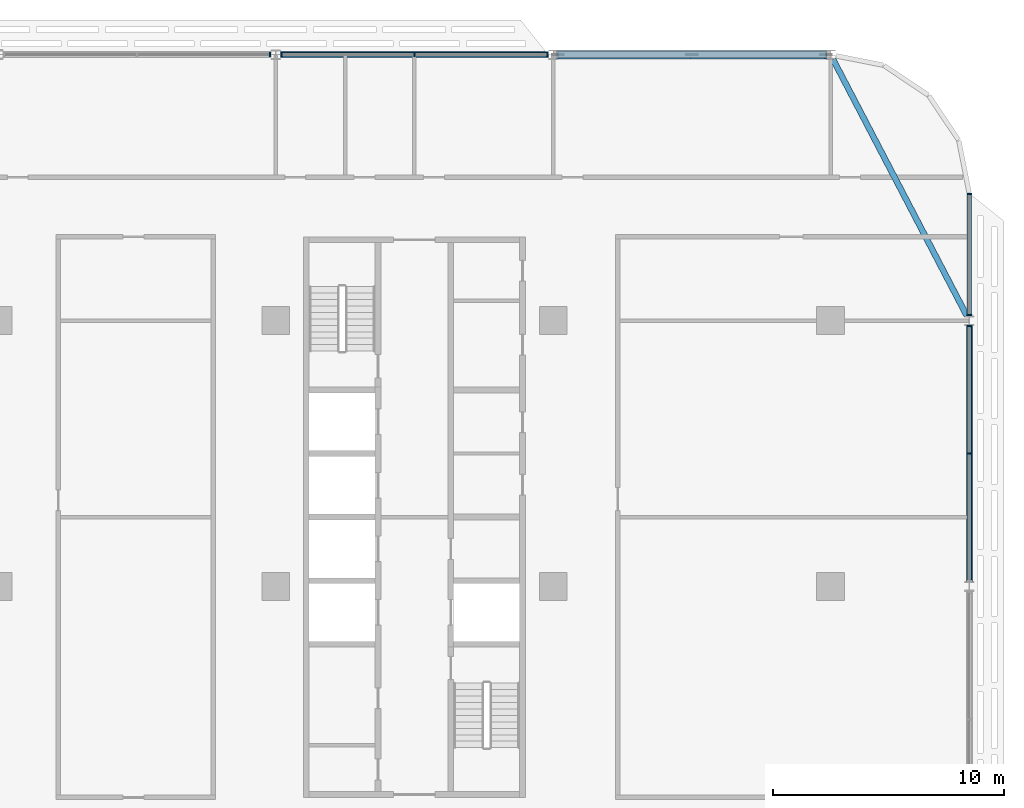
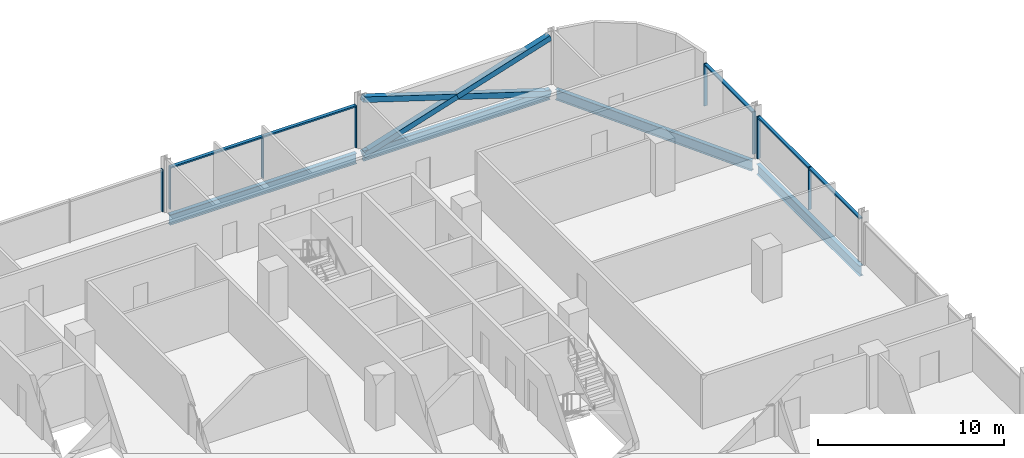
# One storey, part 9 of 27: 16 members, 4 beams, 4 elements without a shape of their own.
"""IFC4 building model written with IfcOpenShell, lengths in metres."""

import ifcopenshell
import ifcopenshell.guid

model = None  # the IFC model being written
_history = None  # IfcOwnerHistory: only IFC2X3 demands one
_inside = {}  # id of a spatial element -> (the spatial element, [elements in it])
_under = {}  # id of a project, library or spatial element -> (it, [spatial elements below it])
_declared = {}  # id of a project -> (the project, [libraries it declares])
_typed = {}  # id of a type object -> (the type object, [elements of that type])
_made_of = {}  # id of a material, layer set ... -> (it, [elements and type objects made of it])


def new_model(schema):
    """Start an empty IFC model of exactly this schema.

    Asked for "IFC4X3", IfcOpenShell would pick the latest addendum, in which some entities
    have other attributes; the version numbers below select the first issue.
    IFC2X3 requires an IfcOwnerHistory on every rooted entity: one is made here for all.
    """
    global model, _history
    if schema == "IFC4X3":
        model = ifcopenshell.file(schema_version=(4, 3, 0, 0))
    else:
        model = ifcopenshell.file(schema=schema)
    _inside.clear()
    _under.clear()
    _declared.clear()
    _typed.clear()
    _made_of.clear()
    _history = None
    if model.schema == "IFC2X3":
        org = make("IfcOrganization", Name="unknown")
        user = make(
            "IfcPersonAndOrganization",
            ThePerson=make("IfcPerson", FamilyName="unknown"),
            TheOrganization=org,
        )
        app = make(
            "IfcApplication",
            ApplicationDeveloper=org,
            Version="unknown",
            ApplicationFullName="unknown",
            ApplicationIdentifier="unknown",
        )
        _history = make(
            "IfcOwnerHistory",
            OwningUser=user,
            OwningApplication=app,
            ChangeAction="ADDED",
            CreationDate=0,
        )
    return model


def make(cls, **values):
    """One entity of the class cls with the attributes given. An attribute that is None is left unset."""
    return model.create_entity(
        cls, **{name: value for name, value in values.items() if value is not None}
    )


def rooted(cls, **values):
    """An entity with a GlobalId (a new one), such as an element, a storey or a relation."""
    return make(cls, GlobalId=ifcopenshell.guid.new(), OwnerHistory=_history, **values)


def si_unit(unit_type, name, prefix=None):
    """IfcSIUnit, for example si_unit("LENGTHUNIT", "METRE", prefix="MILLI")."""
    return make("IfcSIUnit", UnitType=unit_type, Prefix=prefix, Name=name)


def assignment(units):
    """IfcUnitAssignment: the units of a project."""
    return None if units is None else make("IfcUnitAssignment", Units=units)


def point(xyz):
    """IfcCartesianPoint."""
    return None if xyz is None else make("IfcCartesianPoint", Coordinates=xyz)


def direction(xyz):
    """IfcDirection."""
    return None if xyz is None else make("IfcDirection", DirectionRatios=xyz)


def frame(location, z_axis=None, x_axis=None):
    """IfcAxis2Placement3D, a coordinate frame: its origin and axes. An axis left out is left unset."""
    return make(
        "IfcAxis2Placement3D",
        Location=point(location),
        Axis=direction(z_axis),
        RefDirection=direction(x_axis),
    )


def frame_2d(location, x_axis=None):
    """IfcAxis2Placement2D, a coordinate frame in the plane: its origin and x axis."""
    return make(
        "IfcAxis2Placement2D", Location=point(location), RefDirection=direction(x_axis)
    )


def origin():
    """The frame at (0, 0, 0) with its axes left unset."""
    return frame((0.0, 0.0, 0.0))


def origin_2d():
    """The frame at (0, 0) in the plane with its x axis left unset."""
    return frame_2d((0.0, 0.0))


def place(relative_to, where):
    """IfcLocalPlacement: puts the frame where relative to a parent placement (None: the world)."""
    return make(
        "IfcLocalPlacement", PlacementRelTo=relative_to, RelativePlacement=where
    )


def context(
    kind, dimensions, precision=None, world=None, true_north=None, identifier=None
):
    """IfcGeometricRepresentationContext, for example the 3D "Model" context."""
    return make(
        "IfcGeometricRepresentationContext",
        ContextIdentifier=identifier,
        ContextType=kind,
        CoordinateSpaceDimension=dimensions,
        Precision=precision,
        WorldCoordinateSystem=world,
        TrueNorth=true_north,
    )


def subcontext(parent, identifier, kind, view, scale=None):
    """IfcGeometricRepresentationSubContext, for example "Body" below "Model"."""
    return make(
        "IfcGeometricRepresentationSubContext",
        ContextIdentifier=identifier,
        ContextType=kind,
        ParentContext=parent,
        TargetScale=scale,
        TargetView=view,
    )


def project(units=None, contexts=None):
    """IfcProject with its units and contexts."""
    return rooted(
        "IfcProject",
        Name="project",
        RepresentationContexts=contexts,
        UnitsInContext=assignment(units),
    )


def spatial(cls, under=None, at=None, **own):
    """A site, building, storey or space (cls), placed at a placement, below another one or the project."""
    s = rooted(cls, ObjectPlacement=at, **own)
    if under is not None:
        _under.setdefault(under.id(), (under, []))[1].append(s)
    return s


def profile(cls, at=None, kind="AREA", **sizes):
    """A parametric profile (cls). Its sizes go by their IFC names, for example OverallWidth=200.0."""
    return make(cls, ProfileType=kind, Position=at, **sizes)


def rectangle(**sizes):
    """IfcRectangleProfileDef."""
    return profile("IfcRectangleProfileDef", **sizes)


def hollow_rectangle(**sizes):
    """IfcRectangleHollowProfileDef."""
    return profile("IfcRectangleHollowProfileDef", **sizes)


def i_section(**sizes):
    """IfcIShapeProfileDef."""
    return profile("IfcIShapeProfileDef", **sizes)


def extrude(swept, where, along, depth):
    """IfcExtrudedAreaSolid: the profile swept, set in the frame where, extruded along a direction by depth."""
    return make(
        "IfcExtrudedAreaSolid",
        SweptArea=swept,
        Position=where,
        ExtrudedDirection=direction(along),
        Depth=depth,
    )


def shape(context_of_items, identifier, shape_type, items):
    """IfcShapeRepresentation: the items that make up one representation, for example the "Body"."""
    return make(
        "IfcShapeRepresentation",
        ContextOfItems=context_of_items,
        RepresentationIdentifier=identifier,
        RepresentationType=shape_type,
        Items=items,
    )


def material(Name=None, Category=None):
    """IfcMaterial."""
    return make("IfcMaterial", Name=Name, Category=Category)


def material_profile(
    of_material, cross_section, Name=None, Category=None, Priority=None
):
    """IfcMaterialProfile: a cross section and its material."""
    return make(
        "IfcMaterialProfile",
        Name=Name,
        Material=of_material,
        Profile=cross_section,
        Priority=Priority,
        Category=Category,
    )


def profile_set(profiles, Name=None, composite=None):
    """IfcMaterialProfileSet."""
    return make(
        "IfcMaterialProfileSet",
        Name=Name,
        MaterialProfiles=profiles,
        CompositeProfile=composite,
    )


def made_of(thing, what):
    """Note that an element or type object is made of a material, layer set ...; save() writes the relation."""
    if what is not None:
        _made_of.setdefault(what.id(), (what, []))[1].append(thing)
    return thing


def type_object(cls, material=None, **own):
    """A type object (cls), such as IfcWallType, which elements share."""
    return made_of(rooted(cls, **own), material)


def element(
    cls,
    number,
    at=None,
    inside=None,
    cuts=None,
    type_object=None,
    material=None,
    context=None,
    identifier="Body",
    shape_type=None,
    held_by="IfcProductDefinitionShape",
    body=None,
    shapes=None,
    **own,
):
    """One element of the class cls, such as IfcWall. Its Tag is "e" and its number.

    at: its placement. inside: the storey or other place that contains it. cuts: it is an
    opening in that element (IfcRelVoidsElement). A single representation is given by context,
    identifier, shape_type and body (its items); several are given by shapes. held_by: the class
    of the entity that holds the representations. save() writes the other relations.
    """
    e = rooted(cls, Tag="e%d" % number, ObjectPlacement=at, **own)
    if body is not None:
        shapes = [shape(context, identifier, shape_type, body)]
    if shapes is not None:
        e.Representation = make(held_by, Representations=shapes)
    if inside is not None:
        _inside.setdefault(inside.id(), (inside, []))[1].append(e)
    if cuts is not None:
        rooted(
            "IfcRelVoidsElement", RelatingBuildingElement=cuts, RelatedOpeningElement=e
        )
    if type_object is not None:
        _typed.setdefault(type_object.id(), (type_object, []))[1].append(e)
    return made_of(e, material)


def aggregate(whole, parts):
    """IfcRelAggregates: a whole, such as a stair, and the parts it consists of."""
    return rooted("IfcRelAggregates", RelatingObject=whole, RelatedObjects=parts)


def save(model, path):
    """Write the relations noted so far, then the file.

    IfcRelAggregates (storeys below a building ...), IfcRelContainedInSpatialStructure (elements
    in a storey), IfcRelDefinesByType, IfcRelAssociatesMaterial and IfcRelDeclares: one each for
    every whole, place, type object, material and project.
    """
    for whole, parts in _under.values():
        aggregate(whole, parts)
    for where, things in _inside.values():
        rooted(
            "IfcRelContainedInSpatialStructure",
            RelatedElements=things,
            RelatingStructure=where,
        )
    for kind, things in _typed.values():
        rooted("IfcRelDefinesByType", RelatedObjects=things, RelatingType=kind)
    for what, things in _made_of.values():
        rooted("IfcRelAssociatesMaterial", RelatedObjects=things, RelatingMaterial=what)
    for by, libraries in _declared.values():
        rooted("IfcRelDeclares", RelatingContext=by, RelatedDefinitions=libraries)
    model.write(path)


model = new_model("IFC4")

# Units and contexts
model_context = context("Model", 3, precision=1e-05, world=origin(), true_north=direction((0.0, 1.0)))
body_context = subcontext(model_context, "Body", "Model", "MODEL_VIEW")
ifc_project = project(units=[si_unit("LENGTHUNIT", "METRE"), si_unit("AREAUNIT", "SQUARE_METRE"), si_unit("VOLUMEUNIT", "CUBIC_METRE"), si_unit("PLANEANGLEUNIT", "RADIAN"), si_unit("MASSUNIT", "GRAM", prefix="KILO")], contexts=[model_context])

# Site, building, storey
site_placement = place(None, origin())
site = spatial("IfcSite", under=ifc_project, at=site_placement, CompositionType="ELEMENT")
building_placement = place(site_placement, origin())
building = spatial("IfcBuilding", under=site, at=building_placement, Name="Mahtab Terrace Research Tower", CompositionType="ELEMENT")
storey_placement = place(building_placement, frame((0.0, 0.0, 170.60009765625)))
storey = spatial("IfcBuildingStorey", under=building, at=storey_placement, Name="L40", CompositionType="ELEMENT", Elevation=170.60009765625)

# Members
ifc_material_1 = material(Name="Steel ASTM A500 Gr C", Category="steel")
ifc_material_profile_1 = material_profile(ifc_material_1, hollow_rectangle(XDim=0.355712890625, YDim=0.355712890625, WallThickness=0.015869140625, at=origin_2d()), Name="HSS14X14X5/8")
ifc_profile_set_1 = profile_set([ifc_material_profile_1], Name="Steel ASTM A500 Gr C")
member_type_1 = type_object("IfcMemberType", Name="HSS 14x14x5/8 brace XB141458", PredefinedType="BRACE", material=ifc_profile_set_1)
member_1_placement = place(storey_placement, frame((41.796875, 23.0, -0.61474609375), z_axis=(-0.953347232701, 0.0, 0.301875891554), x_axis=(0.0, -1.0, 0.0)))
element("IfcMember", 1, at=member_1_placement, inside=storey, type_object=member_type_1, Name="Exoskeleton brace L40 01 a", PredefinedType="BRACE", context=body_context, shape_type="SweptSolid", body=[
    extrude(hollow_rectangle(XDim=0.355712890625, YDim=0.355712890625, WallThickness=0.015869140625, at=origin_2d()), origin(), (0.0, 0.0, 1.0), 12.1611328125),
])
for number, where, z_axis, x_axis, name in (
    (2, (30.203125, 23.0, -0.61474609375), (0.953353010152, 0.0, 0.301857645313), (0.0, 1.0, 0.0), "Exoskeleton brace L40 01 b1"),
    (3, (36.0, 23.0, 1.220703125), (0.953341454971, 0.0, 0.301894137463), (0.0, 1.0, 0.0), "Exoskeleton brace L40 01 b2"),
):
    element("IfcMember", number, at=place(storey_placement, frame(where, z_axis=z_axis, x_axis=x_axis)), inside=storey, type_object=member_type_1, Name=name, PredefinedType="BRACE", context=body_context, shape_type="SweptSolid", body=[
        extrude(hollow_rectangle(XDim=0.355712890625, YDim=0.355712890625, WallThickness=0.015869140625, at=origin_2d()), origin(), (0.0, 0.0, 1.0), 6.08056640625),
    ])

# Curtain wall, members
ifc_material_2 = material(Name="Laboratory ribbon curtain wall")
curtain_wall_type = type_object("IfcCurtainWallType", Name="Laboratory ribbon curtain wall", PredefinedType="NOTDEFINED", material=ifc_material_2)
curtain_wall_1_placement = place(storey_placement, origin())
curtain_wall_1 = element("IfcCurtainWall", 4, at=curtain_wall_1_placement, inside=storey, type_object=curtain_wall_type, Name="EN.L40.3.4", PredefinedType="NOTDEFINED")
ifc_material_3 = material(Name="Natural anodised aluminium", Category="aluminium")
ifc_material_profile_2 = material_profile(ifc_material_3, rectangle(XDim=0.199951171875, YDim=0.06494140625, at=origin_2d()), Name="MULLION 65x200")
ifc_profile_set_2 = profile_set([ifc_material_profile_2], Name="Natural anodised aluminium")
member_type_2 = type_object("IfcMemberType", Name="Laboratory ribbon curtain wall mullion", PredefinedType="MULLION", material=ifc_profile_set_2)
member_2_placement = place(storey_placement, frame((29.759521484375, 23.0, 0.0), z_axis=(0.0, 0.0, 1.0), x_axis=(0.0, -1.0, 0.0)))
member_2 = element("IfcMember", 5, at=member_2_placement, type_object=member_type_2, Name="CWL-5 mullion 1", PredefinedType="MULLION", context=body_context, shape_type="SweptSolid", body=[
    extrude(rectangle(XDim=0.199951171875, YDim=0.06494140625, at=origin_2d()), origin(), (0.0, 0.0, 1.0), 2.78173828125),
])
member_3_placement = place(storey_placement, frame((24.0, 23.0, 0.0), z_axis=(0.0, 0.0, 1.0), x_axis=(0.0, -1.0, 0.0)))
member_3 = element("IfcMember", 6, at=member_3_placement, type_object=member_type_2, Name="CWL-5 mullion 2", PredefinedType="MULLION", context=body_context, shape_type="SweptSolid", body=[
    extrude(rectangle(XDim=0.199951171875, YDim=0.06494140625, at=origin_2d()), origin(), (0.0, 0.0, 1.0), 2.78173828125),
])
member_4_placement = place(storey_placement, frame((18.240478515625, 23.0, 0.0), z_axis=(0.0, 0.0, 1.0), x_axis=(0.0, -1.0, 0.0)))
member_4 = element("IfcMember", 7, at=member_4_placement, type_object=member_type_2, Name="CWL-5 mullion 3", PredefinedType="MULLION", context=body_context, shape_type="SweptSolid", body=[
    extrude(rectangle(XDim=0.199951171875, YDim=0.06494140625, at=origin_2d()), origin(), (0.0, 0.0, 1.0), 2.78173828125),
])

# Curtain wall, member
curtain_wall_2_placement = place(storey_placement, origin())
curtain_wall_2 = element("IfcCurtainWall", 8, at=curtain_wall_2_placement, inside=storey, type_object=curtain_wall_type, Name="EN.L40.3.5", PredefinedType="NOTDEFINED")
member_5_placement = place(storey_placement, frame((17.759521484375, 23.0, 0.0), z_axis=(0.0, 0.0, 1.0), x_axis=(0.0, -1.0, 0.0)))
member_5 = element("IfcMember", 9, at=member_5_placement, type_object=member_type_2, Name="CWL-5 mullion 1", PredefinedType="MULLION", context=body_context, shape_type="SweptSolid", body=[
    extrude(rectangle(XDim=0.199951171875, YDim=0.06494140625, at=origin_2d()), origin(), (0.0, 0.0, 1.0), 2.78173828125),
])
aggregate(curtain_wall_2, [member_5])

# Curtain wall, members
curtain_wall_3_placement = place(storey_placement, origin())
curtain_wall_3 = element("IfcCurtainWall", 10, at=curtain_wall_3_placement, inside=storey, type_object=curtain_wall_type, Name="EN.L40.18.36", PredefinedType="NOTDEFINED")
member_6_placement = place(storey_placement, frame((48.0, 5.75, 0.0), z_axis=(0.0, 0.0, 1.0), x_axis=(-1.0, 0.0, 0.0)))
member_6 = element("IfcMember", 11, at=member_6_placement, type_object=member_type_2, Name="CWL-5 mullion 2", PredefinedType="MULLION", context=body_context, shape_type="SweptSolid", body=[
    extrude(rectangle(XDim=0.199951171875, YDim=0.06494140625, at=origin_2d()), origin(), (0.0, 0.0, 1.0), 2.78173828125),
])
member_7_placement = place(storey_placement, frame((48.0, 11.259521484375, 0.0), z_axis=(0.0, 0.0, 1.0), x_axis=(-1.0, 0.0, 0.0)))
member_7 = element("IfcMember", 12, at=member_7_placement, type_object=member_type_2, Name="CWL-5 mullion 3", PredefinedType="MULLION", context=body_context, shape_type="SweptSolid", body=[
    extrude(rectangle(XDim=0.199951171875, YDim=0.06494140625, at=origin_2d()), origin(), (0.0, 0.0, 1.0), 2.78173828125),
])

curtain_wall_4_placement = place(storey_placement, origin())
curtain_wall_4 = element("IfcCurtainWall", 13, at=curtain_wall_4_placement, inside=storey, type_object=curtain_wall_type, Name="EN.L40.18.37", PredefinedType="NOTDEFINED")
member_8_placement = place(storey_placement, frame((48.0, 11.740478515625, 0.0), z_axis=(0.0, 0.0, 1.0), x_axis=(-1.0, 0.0, 0.0)))
member_8 = element("IfcMember", 14, at=member_8_placement, type_object=member_type_2, Name="CWL-5 mullion 1", PredefinedType="MULLION", context=body_context, shape_type="SweptSolid", body=[
    extrude(rectangle(XDim=0.199951171875, YDim=0.06494140625, at=origin_2d()), origin(), (0.0, 0.0, 1.0), 2.78173828125),
])
member_9_placement = place(storey_placement, frame((48.0, 16.967529296875, 0.0), z_axis=(0.0, 0.0, 1.0), x_axis=(-1.0, 0.0, 0.0)))
member_9 = element("IfcMember", 15, at=member_9_placement, type_object=member_type_2, Name="CWL-5 mullion 2", PredefinedType="MULLION", context=body_context, shape_type="SweptSolid", body=[
    extrude(rectangle(XDim=0.199951171875, YDim=0.06494140625, at=origin_2d()), origin(), (0.0, 0.0, 1.0), 2.78173828125),
])

# Member
ifc_material_profile_3 = material_profile(ifc_material_3, rectangle(XDim=0.199951171875, YDim=0.10009765625, at=origin_2d()), Name="TRANSOM 100x200")
ifc_profile_set_3 = profile_set([ifc_material_profile_3], Name="Natural anodised aluminium")
member_type_3 = type_object("IfcMemberType", Name="Laboratory ribbon curtain wall transom", PredefinedType="USERDEFINED", material=ifc_profile_set_3)
member_10_placement = place(storey_placement, frame((29.72705078125, 23.0, 2.731689453125), z_axis=(-1.0, 0.0, 0.0), x_axis=(0.0, -1.0, 0.0)))
member_10 = element("IfcMember", 16, at=member_10_placement, type_object=member_type_3, Name="CWL-5 transom 1", ObjectType="TRANSOM", PredefinedType="USERDEFINED", context=body_context, shape_type="SweptSolid", body=[
    extrude(rectangle(XDim=0.199951171875, YDim=0.10009765625, at=origin_2d()), origin(), (0.0, 0.0, 1.0), 5.694580078125),
])

member_11_placement = place(storey_placement, frame((23.967529296875, 23.0, 2.731689453125), z_axis=(-1.0, 0.0, 0.0), x_axis=(0.0, -1.0, 0.0)))
member_11 = element("IfcMember", 17, at=member_11_placement, type_object=member_type_3, Name="CWL-5 transom 2", ObjectType="TRANSOM", PredefinedType="USERDEFINED", context=body_context, shape_type="SweptSolid", body=[
    extrude(rectangle(XDim=0.199951171875, YDim=0.10009765625, at=origin_2d()), origin(), (0.0, 0.0, 1.0), 5.694580078125),
])

aggregate(curtain_wall_1, [member_2, member_3, member_4, member_10, member_11])

member_12_placement = place(storey_placement, frame((48.0, 0.27294921875, 2.731689453125), z_axis=(0.0, 1.0, 0.0), x_axis=(-1.0, 0.0, 0.0)))
member_12 = element("IfcMember", 18, at=member_12_placement, type_object=member_type_3, Name="CWL-5 transom 1", ObjectType="TRANSOM", PredefinedType="USERDEFINED", context=body_context, shape_type="SweptSolid", body=[
    extrude(rectangle(XDim=0.199951171875, YDim=0.10009765625, at=origin_2d()), origin(), (0.0, 0.0, 1.0), 5.444580078125),
])

member_13_placement = place(storey_placement, frame((48.0, 5.782470703125, 2.731689453125), z_axis=(0.0, 1.0, 0.0), x_axis=(-1.0, 0.0, 0.0)))
member_13 = element("IfcMember", 19, at=member_13_placement, type_object=member_type_3, Name="CWL-5 transom 2", ObjectType="TRANSOM", PredefinedType="USERDEFINED", context=body_context, shape_type="SweptSolid", body=[
    extrude(rectangle(XDim=0.199951171875, YDim=0.10009765625, at=origin_2d()), origin(), (0.0, 0.0, 1.0), 5.444580078125),
])

aggregate(curtain_wall_3, [member_6, member_7, member_12, member_13])

member_14_placement = place(storey_placement, frame((48.0, 11.77294921875, 2.731689453125), z_axis=(0.0, 1.0, 0.0), x_axis=(-1.0, 0.0, 0.0)))
member_14 = element("IfcMember", 20, at=member_14_placement, type_object=member_type_3, Name="CWL-5 transom 1", ObjectType="TRANSOM", PredefinedType="USERDEFINED", context=body_context, shape_type="SweptSolid", body=[
    extrude(rectangle(XDim=0.199951171875, YDim=0.10009765625, at=origin_2d()), origin(), (0.0, 0.0, 1.0), 5.162109375),
])

aggregate(curtain_wall_4, [member_8, member_9, member_14])

# Beams
ifc_material_4 = material(Name="Steel ASTM A992 Gr 50", Category="steel")
ifc_material_profile_4 = material_profile(ifc_material_4, i_section(OverallWidth=0.25390625, OverallDepth=0.67822265625, WebThickness=0.01171875, FlangeThickness=0.016357421875, at=origin_2d()), Name="W27X84")
ifc_profile_set_4 = profile_set([ifc_material_profile_4], Name="Steel ASTM A992 Gr 50")
beam_type = type_object("IfcBeamType", Name="W27x84 beam BS2784", PredefinedType="BEAM", material=ifc_profile_set_4)
for number, where, z_axis, x_axis, name in (
    (21, (41.796875, 23.0, -0.67919921875), (-1.0, 0.0, 0.0), (0.0, -1.0, 0.0), "Spandrel beam L40 01"),
    (22, (29.796875, 23.0, -0.67919921875), (-1.0, 0.0, 0.0), (0.0, -1.0, 0.0), "Spandrel beam L40 02"),
):
    element("IfcBeam", number, at=place(storey_placement, frame(where, z_axis=z_axis, x_axis=x_axis)), inside=storey, type_object=beam_type, Name=name, PredefinedType="BEAM", context=body_context, shape_type="SweptSolid", body=[
        extrude(i_section(OverallWidth=0.25390625, OverallDepth=0.67822265625, WebThickness=0.01171875, FlangeThickness=0.016357421875, at=origin_2d()), origin(), (0.0, 0.0, 1.0), 11.59375),
    ])
beam_1_placement = place(storey_placement, frame((48.0, 0.208251953125, -0.67919921875), z_axis=(0.0, 1.0, 0.0), x_axis=(-1.0, 0.0, 0.0)))
element("IfcBeam", 23, at=beam_1_placement, inside=storey, type_object=beam_type, Name="Spandrel beam L40 21", PredefinedType="BEAM", context=body_context, shape_type="SweptSolid", body=[
    extrude(i_section(OverallWidth=0.25390625, OverallDepth=0.67822265625, WebThickness=0.01171875, FlangeThickness=0.016357421875, at=origin_2d()), origin(), (0.0, 0.0, 1.0), 11.08349609375),
])
beam_2_placement = place(storey_placement, frame((47.891357421875, 11.708251953125, -0.67919921875), z_axis=(-0.462567341525, 0.886584149731, 0.0), x_axis=(-0.886584149731, -0.462567341525, 0.0)))
element("IfcBeam", 24, at=beam_2_placement, inside=storey, type_object=beam_type, Name="Spandrel beam L40 22", PredefinedType="BEAM", context=body_context, shape_type="SweptSolid", body=[
    extrude(i_section(OverallWidth=0.25390625, OverallDepth=0.67822265625, WebThickness=0.01171875, FlangeThickness=0.016357421875, at=origin_2d()), origin(), (0.0, 0.0, 1.0), 12.50146484375),
])

save(model, "model.ifc")
